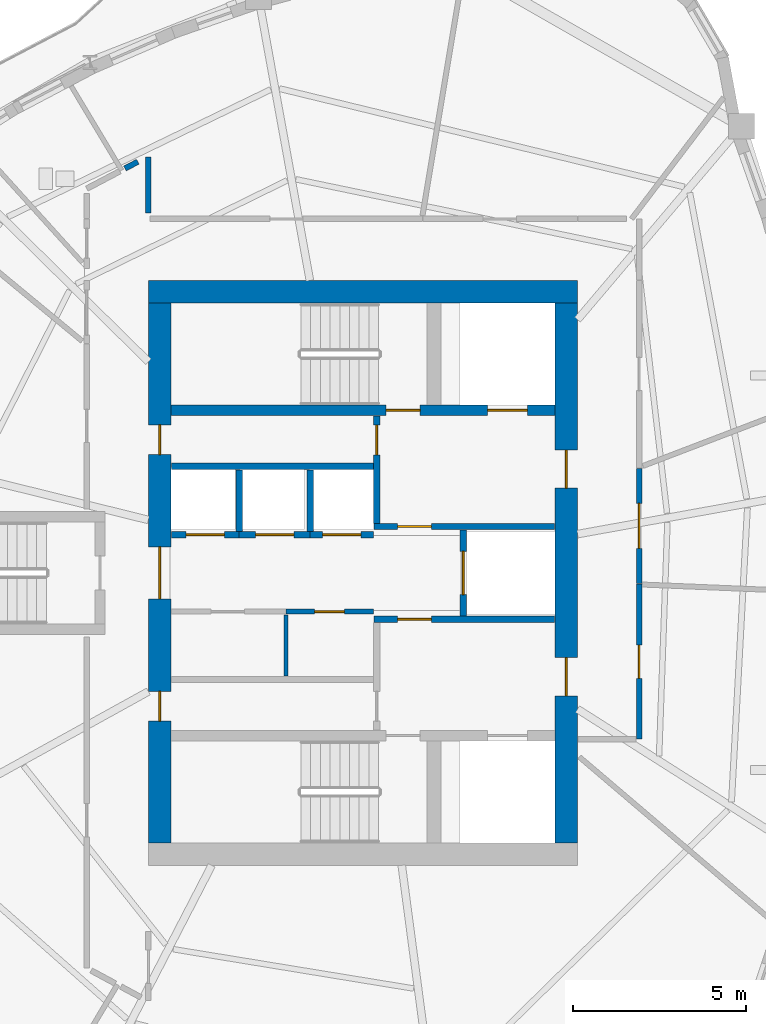
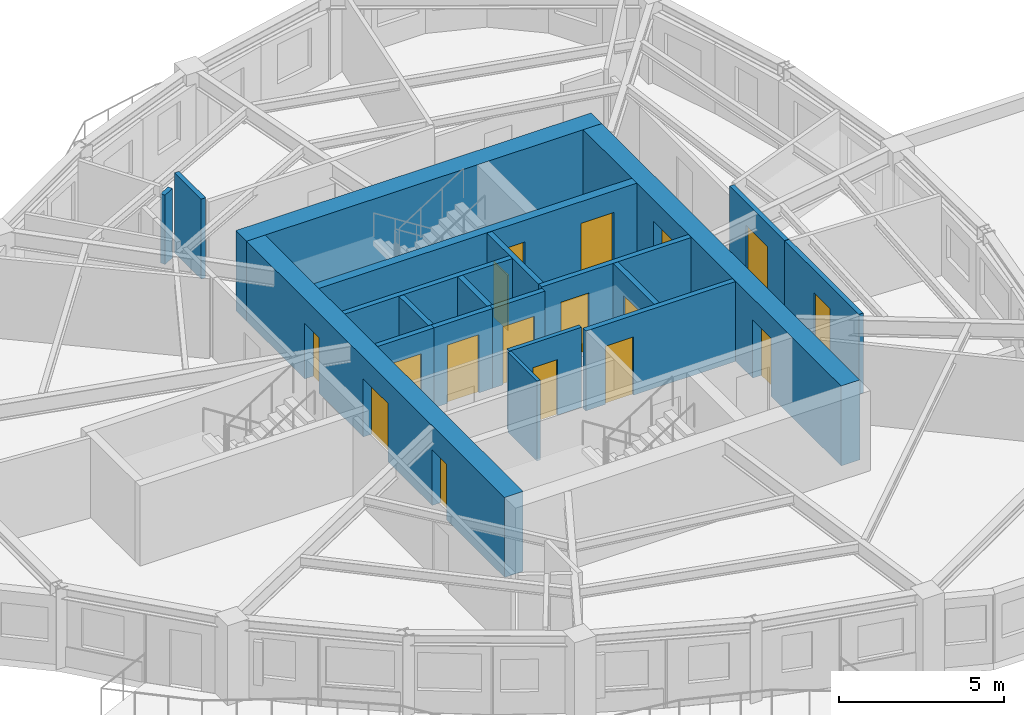
# One storey, part 5 of 11: 20 walls, 17 doors, 17 openings.
"""IFC4 building model written with IfcOpenShell, lengths in metres."""

from ifc_helpers import new_model, si_unit, direction, frame, frame_2d, origin, place, context, subcontext, project, spatial, rectangle, extrude, source, transform, mapped, material, layer, layer_set, type_object, element, fill, save


model = new_model("IFC4")

# Units and contexts
model_context = context("Model", 3, precision=1e-05, world=origin(), true_north=direction((0.0, 1.0)))
body_context = subcontext(model_context, "Body", "Model", "MODEL_VIEW")
ifc_project = project(units=[si_unit("LENGTHUNIT", "METRE"), si_unit("AREAUNIT", "SQUARE_METRE"), si_unit("VOLUMEUNIT", "CUBIC_METRE"), si_unit("PLANEANGLEUNIT", "RADIAN"), si_unit("MASSUNIT", "GRAM", prefix="KILO")], contexts=[model_context])

# Site, building, storey
site_placement = place(None, origin())
site = spatial("IfcSite", under=ifc_project, at=site_placement, CompositionType="ELEMENT")
building_placement = place(site_placement, origin())
building = spatial("IfcBuilding", under=site, at=building_placement, Name="Qafzar Sky-Pleat Residences", CompositionType="ELEMENT")
storey_placement = place(building_placement, frame((0.0, 0.0, 161.800048828125)))
storey = spatial("IfcBuildingStorey", under=building, at=storey_placement, Name="L48", CompositionType="ELEMENT", Elevation=161.800048828125)

# Wall, opening, door
ifc_material_1 = material(Name="Acoustic gypsum plasterboard partition", Category="gypsum")
ifc_layer_1 = layer(ifc_material_1, 0.159912109375)
ifc_layer_set_1 = layer_set([ifc_layer_1], Name="Acoustic gypsum plasterboard partition")
wall_type_1 = type_object("IfcWallType", Name="PART-COR-160", PredefinedType="PARTITIONING", material=ifc_layer_set_1)
wall_1_placement = place(storey_placement, frame((38.330078125, 25.68310546875, 0.0), z_axis=(0.0, 0.0, 1.0), x_axis=(0.0, -1.0, 0.0)))
wall_1 = element("IfcWall", 1, at=wall_1_placement, inside=storey, type_object=wall_type_1, Name="L48 Partition Wall PART-L48-PW-005", PredefinedType="PARTITIONING", context=body_context, shape_type="SweptSolid", body=[
    extrude(rectangle(XDim=4.483154296875, YDim=0.159912109375, at=frame_2d((2.24169921875, 0.0))), origin(), (0.0, 0.0, 1.0), 2.949951171875),
])
opening_1_placement = place(wall_1_placement, frame((1.76904296875, 0.0, 0.0)))
opening_1 = element("IfcOpeningElement", 2, at=opening_1_placement, cuts=wall_1, Name="Opening ID-06", PredefinedType="OPENING", context=body_context, shape_type="SweptSolid", body=[
    extrude(rectangle(XDim=0.9599609375, YDim=2.10009765625, at=frame_2d((0.47998046875, 1.050048828125))), frame((0.0, 0.08984375, 0.0), z_axis=(0.0, -1.0, 0.0), x_axis=(1.0, 0.0, 0.0)), (0.0, 0.0, 1.0), 0.179931640625),
])
ifc_material_2 = material(Name="Timber-faced fire door", Category="wood")
door_type_1 = type_object("IfcDoorType", Name="DR-STD-960", OperationType="NOTDEFINED", PredefinedType="DOOR", material=ifc_material_2)
shared_shape_1 = source(origin(), body_context, "Body", "SweptSolid", [
    extrude(rectangle(XDim=0.9599609375, YDim=2.10009765625, at=frame_2d((0.47998046875, 1.050048828125))), frame((0.0, 0.02490234375, 0.0), z_axis=(0.0, -1.0, 0.0), x_axis=(1.0, 0.0, 0.0)), (0.0, 0.0, 1.0), 0.050048828125),
])
door_1_placement = place(opening_1_placement, origin())
door_1 = element("IfcDoor", 3, at=door_1_placement, inside=storey, type_object=door_type_1, Name="L48 Wellness Yoga Studio Door", OperationType="SINGLE_SWING_LEFT", OverallHeight=2.10009765625, OverallWidth=0.9599609375, PredefinedType="DOOR", context=body_context, shape_type="MappedRepresentation", body=[
    mapped(shared_shape_1, transform((0.0, 0.0, 0.0), x_axis=(1.0, 0.0, 0.0), y_axis=(0.0, 1.0, 0.0), z_axis=(0.0, 0.0, 1.0), scale=1.0)),
])
fill(opening_1, door_1)

wall_2_placement = place(storey_placement, frame((38.330078125, 29.01904296875, 0.0), z_axis=(0.0, 0.0, 1.0), x_axis=(0.0, -1.0, 0.0)))
wall_2 = element("IfcWall", 4, at=wall_2_placement, inside=storey, type_object=wall_type_1, Name="L48 Partition Wall PART-L48-PW-007", PredefinedType="PARTITIONING", context=body_context, shape_type="SweptSolid", body=[
    extrude(rectangle(XDim=3.321044921875, YDim=0.159912109375, at=frame_2d((1.66064453125, 0.0))), origin(), (0.0, 0.0, 1.0), 2.949951171875),
])
opening_2_placement = place(wall_2_placement, frame((1.010498046875, 0.0, 0.0)))
opening_2 = element("IfcOpeningElement", 5, at=opening_2_placement, cuts=wall_2, Name="Opening ID-05", PredefinedType="OPENING", context=body_context, shape_type="SweptSolid", body=[
    extrude(rectangle(XDim=1.300048828125, YDim=2.10009765625, at=frame_2d((0.64990234375, 1.050048828125))), frame((0.0, 0.08984375, 0.0), z_axis=(0.0, -1.0, 0.0), x_axis=(1.0, 0.0, 0.0)), (0.0, 0.0, 1.0), 0.179931640625),
])
door_type_2 = type_object("IfcDoorType", Name="DR-LNG-1300", OperationType="DOUBLE_DOOR_SINGLE_SWING", PredefinedType="DOOR", material=ifc_material_2)
shared_shape_2 = source(origin(), body_context, "Body", "SweptSolid", [
    extrude(rectangle(XDim=1.300048828125, YDim=2.10009765625, at=frame_2d((0.64990234375, 1.050048828125))), frame((0.0, 0.02490234375, 0.0), z_axis=(0.0, -1.0, 0.0), x_axis=(1.0, 0.0, 0.0)), (0.0, 0.0, 1.0), 0.050048828125),
])
door_2_placement = place(opening_2_placement, origin())
door_2 = element("IfcDoor", 6, at=door_2_placement, inside=storey, type_object=door_type_2, Name="L48 Co-Living Lounge Door", OperationType="DOUBLE_DOOR_SINGLE_SWING", OverallHeight=2.10009765625, OverallWidth=1.300048828125, PredefinedType="DOOR", context=body_context, shape_type="MappedRepresentation", body=[
    mapped(shared_shape_2, transform((0.0, 0.0, 0.0), x_axis=(1.0, 0.0, 0.0), y_axis=(0.0, 1.0, 0.0), z_axis=(0.0, 0.0, 1.0), scale=1.0)),
])
fill(opening_2, door_2)

# Walls
wall_3_placement = place(storey_placement, frame((24.14990234375, 36.404052734375, 0.0), z_axis=(0.0, 0.0, 1.0), x_axis=(0.0, 1.0, 0.0)))
element("IfcWall", 7, at=wall_3_placement, inside=storey, type_object=wall_type_1, Name="L48 Partition Wall PART-L48-PW-023", PredefinedType="PARTITIONING", context=body_context, shape_type="SweptSolid", body=[
    extrude(rectangle(XDim=1.61083984375, YDim=0.159912109375, at=frame_2d((0.805419921875, 0.0))), origin(), (0.0, 0.0, 1.0), 2.949951171875),
])
wall_4_placement = place(storey_placement, frame((23.4716796875, 37.686279296875, 0.0), z_axis=(0.0, 0.0, 1.0), x_axis=(0.884564737935, 0.466417435782, 0.0)))
element("IfcWall", 8, at=wall_4_placement, inside=storey, type_object=wall_type_1, Name="L48 Partition Wall PART-L48-PW-029", PredefinedType="PARTITIONING", context=body_context, shape_type="SweptSolid", body=[
    extrude(rectangle(XDim=0.419677734375, YDim=0.159912109375, at=frame_2d((0.2099609375, 0.0))), origin(), (0.0, 0.0, 1.0), 2.557861328125),
])

# Wall, opening, door
ifc_material_3 = material(Name="Concrete blockwork partition", Category="masonry")
ifc_layer_2 = layer(ifc_material_3, 0.179931640625)
ifc_layer_set_2 = layer_set([ifc_layer_2], Name="Concrete blockwork partition")
wall_type_2 = type_object("IfcWallType", Name="PART-SHAFT-180", PredefinedType="PARTITIONING", material=ifc_layer_set_2)
wall_5_placement = place(storey_placement, frame((30.669921875, 24.659912109375, 0.0), z_axis=(0.0, 0.0, 1.0), x_axis=(1.0, 0.0, 0.0)))
wall_5 = element("IfcWall", 9, at=wall_5_placement, inside=storey, type_object=wall_type_2, Name="L48 Partition Wall PART-L48-FFL1-N", PredefinedType="PARTITIONING", context=body_context, shape_type="SweptSolid", body=[
    extrude(rectangle(XDim=5.219970703125, YDim=0.179931640625, at=frame_2d((2.60986328125, 0.0))), origin(), (0.0, 0.0, 1.0), 2.949951171875),
])
opening_3_placement = place(wall_5_placement, frame((0.679931640625, 0.0, 0.0)))
opening_3 = element("IfcOpeningElement", 10, at=opening_3_placement, cuts=wall_5, Name="Opening ID-01", PredefinedType="OPENING", context=body_context, shape_type="SweptSolid", body=[
    extrude(rectangle(XDim=0.97998046875, YDim=2.14990234375, at=frame_2d((0.489990234375, 1.074951171875))), frame((0.0, 0.10009765625, 0.0), z_axis=(0.0, -1.0, 0.0), x_axis=(1.0, 0.0, 0.0)), (0.0, 0.0, 1.0), 0.199951171875),
])
door_type_3 = type_object("IfcDoorType", Name="DR-STAIR-980", OperationType="NOTDEFINED", PredefinedType="DOOR", material=ifc_material_2)
shared_shape_3 = source(origin(), body_context, "Body", "SweptSolid", [
    extrude(rectangle(XDim=0.97998046875, YDim=2.14990234375, at=frame_2d((0.489990234375, 1.074951171875))), frame((0.0, 0.02490234375, 0.0), z_axis=(0.0, -1.0, 0.0), x_axis=(1.0, 0.0, 0.0)), (0.0, 0.0, 1.0), 0.050048828125),
])
door_3_placement = place(opening_3_placement, origin())
door_3 = element("IfcDoor", 11, at=door_3_placement, inside=storey, type_object=door_type_3, Name="L48 Lift Lobby to South Firefighting Lobby Door", OperationType="SINGLE_SWING_RIGHT", OverallHeight=2.14990234375, OverallWidth=0.97998046875, PredefinedType="DOOR", context=body_context, shape_type="MappedRepresentation", body=[
    mapped(shared_shape_3, transform((0.0, 0.0, 0.0), x_axis=(1.0, 0.0, 0.0), y_axis=(0.0, 1.0, 0.0), z_axis=(0.0, 0.0, 1.0), scale=1.0)),
])
fill(opening_3, door_3)

wall_6_placement = place(storey_placement, frame((30.75, 27.429931640625, 0.0), z_axis=(0.0, 0.0, 1.0), x_axis=(0.0, 1.0, 0.0)))
wall_6 = element("IfcWall", 12, at=wall_6_placement, inside=storey, type_object=wall_type_2, Name="L48 Partition Wall PART-L48-FFL2-W", PredefinedType="PARTITIONING", context=body_context, shape_type="SweptSolid", body=[
    extrude(rectangle(XDim=3.110107421875, YDim=0.179931640625, at=frame_2d((1.55517578125, 0.0))), origin(), (0.0, 0.0, 1.0), 2.949951171875),
])
opening_4_placement = place(wall_6_placement, frame((1.97998046875, 0.0, 0.0)))
opening_4 = element("IfcOpeningElement", 13, at=opening_4_placement, cuts=wall_6, Name="Opening ID-09", PredefinedType="OPENING", context=body_context, shape_type="SweptSolid", body=[
    extrude(rectangle(XDim=0.860107421875, YDim=2.050048828125, at=frame_2d((0.43017578125, 1.02490234375))), frame((0.0, 0.10009765625, 0.0), z_axis=(0.0, -1.0, 0.0), x_axis=(1.0, 0.0, 0.0)), (0.0, 0.0, 1.0), 0.199951171875),
])
door_type_4 = type_object("IfcDoorType", Name="DR-SVC-860", OperationType="NOTDEFINED", PredefinedType="DOOR", material=ifc_material_2)
shared_shape_4 = source(origin(), body_context, "Body", "SweptSolid", [
    extrude(rectangle(XDim=0.860107421875, YDim=2.050048828125, at=frame_2d((0.43017578125, 1.02490234375))), frame((0.0, 0.02490234375, 0.0), z_axis=(0.0, -1.0, 0.0), x_axis=(1.0, 0.0, 0.0)), (0.0, 0.0, 1.0), 0.050048828125),
])
door_4_placement = place(opening_4_placement, origin())
door_4 = element("IfcDoor", 14, at=door_4_placement, inside=storey, type_object=door_type_4, Name="L48 North Core Cupboard Door", OperationType="SINGLE_SWING_LEFT", OverallHeight=2.050048828125, OverallWidth=0.860107421875, PredefinedType="DOOR", context=body_context, shape_type="MappedRepresentation", body=[
    mapped(shared_shape_4, transform((0.0, 0.0, 0.0), x_axis=(1.0, 0.0, 0.0), y_axis=(0.0, 1.0, 0.0), z_axis=(0.0, 0.0, 1.0), scale=1.0)),
])
fill(opening_4, door_4)

wall_7_placement = place(storey_placement, frame((30.669921875, 27.340087890625, 0.0), z_axis=(0.0, 0.0, 1.0), x_axis=(1.0, 0.0, 0.0)))
wall_7 = element("IfcWall", 15, at=wall_7_placement, inside=storey, type_object=wall_type_2, Name="L48 Partition Wall PART-L48-FFL2-S", PredefinedType="PARTITIONING", context=body_context, shape_type="SweptSolid", body=[
    extrude(rectangle(XDim=5.219970703125, YDim=0.179931640625, at=frame_2d((2.60986328125, 0.0))), origin(), (0.0, 0.0, 1.0), 2.949951171875),
])
opening_5_placement = place(wall_7_placement, frame((0.679931640625, 0.0, 0.0)))
opening_5 = element("IfcOpeningElement", 16, at=opening_5_placement, cuts=wall_7, Name="Opening ID-01", PredefinedType="OPENING", context=body_context, shape_type="SweptSolid", body=[
    extrude(rectangle(XDim=0.97998046875, YDim=2.14990234375, at=frame_2d((0.489990234375, 1.074951171875))), frame((0.0, 0.10009765625, 0.0), z_axis=(0.0, -1.0, 0.0), x_axis=(1.0, 0.0, 0.0)), (0.0, 0.0, 1.0), 0.199951171875),
])
door_5_placement = place(opening_5_placement, origin())
door_5 = element("IfcDoor", 17, at=door_5_placement, inside=storey, type_object=door_type_3, Name="L48 Lift Lobby to North Firefighting Lobby Door", OperationType="SINGLE_SWING_RIGHT", OverallHeight=2.14990234375, OverallWidth=0.97998046875, PredefinedType="DOOR", context=body_context, shape_type="MappedRepresentation", body=[
    mapped(shared_shape_3, transform((0.0, 0.0, 0.0), x_axis=(1.0, 0.0, 0.0), y_axis=(0.0, 1.0, 0.0), z_axis=(0.0, 0.0, 1.0), scale=1.0)),
])
fill(opening_5, door_5)

wall_8_placement = place(storey_placement, frame((33.25, 24.760009765625, 0.0), z_axis=(0.0, 0.0, 1.0), x_axis=(0.0, 1.0, 0.0)))
wall_8 = element("IfcWall", 18, at=wall_8_placement, inside=storey, type_object=wall_type_2, Name="L48 Partition Wall PART-L48-SV1-W", PredefinedType="PARTITIONING", context=body_context, shape_type="SweptSolid", body=[
    extrude(rectangle(XDim=2.47998046875, YDim=0.179931640625, at=frame_2d((1.239990234375, 0.0))), origin(), (0.0, 0.0, 1.0), 2.949951171875),
])
opening_6_placement = place(wall_8_placement, frame((0.614990234375, 0.0, 0.0)))
opening_6 = element("IfcOpeningElement", 19, at=opening_6_placement, cuts=wall_8, Name="Opening LD-03", PredefinedType="OPENING", context=body_context, shape_type="SweptSolid", body=[
    extrude(rectangle(XDim=1.25, YDim=2.14990234375, at=frame_2d((0.625, 1.074951171875))), frame((0.0, 0.10009765625, 0.0), z_axis=(0.0, -1.0, 0.0), x_axis=(1.0, 0.0, 0.0)), (0.0, 0.0, 1.0), 0.199951171875),
])
ifc_material_4 = material(Name="Stainless steel sliding landing door", Category="steel")
door_type_5 = type_object("IfcDoorType", Name="DR-LIFT-SV", OperationType="DOUBLE_DOOR_SLIDING", PredefinedType="DOOR", material=ifc_material_4)
shared_shape_5 = source(origin(), body_context, "Body", "SweptSolid", [
    extrude(rectangle(XDim=1.25, YDim=2.14990234375, at=frame_2d((0.625, 1.074951171875))), frame((0.0, 0.02490234375, 0.0), z_axis=(0.0, -1.0, 0.0), x_axis=(1.0, 0.0, 0.0)), (0.0, 0.0, 1.0), 0.050048828125),
])
door_6_placement = place(opening_6_placement, origin())
door_6 = element("IfcDoor", 20, at=door_6_placement, inside=storey, type_object=door_type_5, Name="L48 Service Lift SV1 Landing Door", OperationType="DOUBLE_DOOR_SLIDING", OverallHeight=2.14990234375, OverallWidth=1.25, PredefinedType="DOOR", context=body_context, shape_type="MappedRepresentation", body=[
    mapped(shared_shape_5, transform((0.0, 0.0, 0.0), x_axis=(1.0, 0.0, 0.0), y_axis=(0.0, 1.0, 0.0), z_axis=(0.0, 0.0, 1.0), scale=1.0)),
])
fill(opening_6, door_6)

# Wall
wall_9_placement = place(storey_placement, frame((24.81005859375, 29.080078125, 0.0), z_axis=(0.0, 0.0, 1.0), x_axis=(1.0, 0.0, 0.0)))
element("IfcWall", 21, at=wall_9_placement, inside=storey, type_object=wall_type_2, Name="L48 Partition Wall PART-L48-P46-N", PredefinedType="PARTITIONING", context=body_context, shape_type="SweptSolid", body=[
    extrude(rectangle(XDim=5.83984375, YDim=0.179931640625, at=frame_2d((2.919921875, 0.0))), origin(), (0.0, 0.0, 1.0), 2.949951171875),
])

# Wall, opening, door
wall_10_placement = place(storey_placement, frame((24.81005859375, 27.10009765625, 0.0), z_axis=(0.0, 0.0, 1.0), x_axis=(1.0, 0.0, 0.0)))
wall_10 = element("IfcWall", 22, at=wall_10_placement, inside=storey, type_object=wall_type_2, Name="L48 Partition Wall PART-L48-P4-S", PredefinedType="PARTITIONING", context=body_context, shape_type="SweptSolid", body=[
    extrude(rectangle(XDim=1.96484375, YDim=0.179931640625, at=frame_2d((0.982421875, 0.0))), origin(), (0.0, 0.0, 1.0), 2.949951171875),
])
opening_7_placement = place(wall_10_placement, frame((0.4326171875, 0.0, 0.0)))
opening_7 = element("IfcOpeningElement", 23, at=opening_7_placement, cuts=wall_10, Name="Opening LD-01", PredefinedType="OPENING", context=body_context, shape_type="SweptSolid", body=[
    extrude(rectangle(XDim=1.10009765625, YDim=2.14990234375, at=frame_2d((0.550048828125, 1.074951171875))), frame((0.0, 0.10009765625, 0.0), z_axis=(0.0, -1.0, 0.0), x_axis=(1.0, 0.0, 0.0)), (0.0, 0.0, 1.0), 0.199951171875),
])
door_type_6 = type_object("IfcDoorType", Name="DR-LIFT-P", OperationType="DOUBLE_DOOR_SLIDING", PredefinedType="DOOR", material=ifc_material_4)
shared_shape_6 = source(origin(), body_context, "Body", "SweptSolid", [
    extrude(rectangle(XDim=1.10009765625, YDim=2.14990234375, at=frame_2d((0.550048828125, 1.074951171875))), frame((0.0, 0.02490234375, 0.0), z_axis=(0.0, -1.0, 0.0), x_axis=(1.0, 0.0, 0.0)), (0.0, 0.0, 1.0), 0.050048828125),
])
door_7_placement = place(opening_7_placement, origin())
door_7 = element("IfcDoor", 24, at=door_7_placement, inside=storey, type_object=door_type_6, Name="L48 Passenger Lift P4 Landing Door", OperationType="DOUBLE_DOOR_SLIDING", OverallHeight=2.14990234375, OverallWidth=1.10009765625, PredefinedType="DOOR", context=body_context, shape_type="MappedRepresentation", body=[
    mapped(shared_shape_6, transform((0.0, 0.0, 0.0), x_axis=(1.0, 0.0, 0.0), y_axis=(0.0, 1.0, 0.0), z_axis=(0.0, 0.0, 1.0), scale=1.0)),
])
fill(opening_7, door_7)

wall_11_placement = place(storey_placement, frame((26.77490234375, 27.10009765625, 0.0), z_axis=(0.0, 0.0, 1.0), x_axis=(1.0, 0.0, 0.0)))
wall_11 = element("IfcWall", 25, at=wall_11_placement, inside=storey, type_object=wall_type_2, Name="L48 Partition Wall PART-L48-P5-S", PredefinedType="PARTITIONING", context=body_context, shape_type="SweptSolid", body=[
    extrude(rectangle(XDim=2.050048828125, YDim=0.179931640625, at=frame_2d((1.02490234375, 0.0))), origin(), (0.0, 0.0, 1.0), 2.949951171875),
])
opening_8_placement = place(wall_11_placement, frame((0.47509765625, 0.0, 0.0)))
opening_8 = element("IfcOpeningElement", 26, at=opening_8_placement, cuts=wall_11, Name="Opening LD-01", PredefinedType="OPENING", context=body_context, shape_type="SweptSolid", body=[
    extrude(rectangle(XDim=1.10009765625, YDim=2.14990234375, at=frame_2d((0.550048828125, 1.074951171875))), frame((0.0, 0.10009765625, 0.0), z_axis=(0.0, -1.0, 0.0), x_axis=(1.0, 0.0, 0.0)), (0.0, 0.0, 1.0), 0.199951171875),
])
door_8_placement = place(opening_8_placement, origin())
door_8 = element("IfcDoor", 27, at=door_8_placement, inside=storey, type_object=door_type_6, Name="L48 Passenger Lift P5 Landing Door", OperationType="DOUBLE_DOOR_SLIDING", OverallHeight=2.14990234375, OverallWidth=1.10009765625, PredefinedType="DOOR", context=body_context, shape_type="MappedRepresentation", body=[
    mapped(shared_shape_6, transform((0.0, 0.0, 0.0), x_axis=(1.0, 0.0, 0.0), y_axis=(0.0, 1.0, 0.0), z_axis=(0.0, 0.0, 1.0), scale=1.0)),
])
fill(opening_8, door_8)

# Wall
wall_12_placement = place(storey_placement, frame((26.77490234375, 27.199951171875, 0.0), z_axis=(0.0, 0.0, 1.0), x_axis=(0.0, 1.0, 0.0)))
element("IfcWall", 28, at=wall_12_placement, inside=storey, type_object=wall_type_2, Name="L48 Partition Wall PART-L48-P46-DIV-1", PredefinedType="PARTITIONING", context=body_context, shape_type="SweptSolid", body=[
    extrude(rectangle(XDim=1.780029296875, YDim=0.179931640625, at=frame_2d((0.89013671875, 0.0))), origin(), (0.0, 0.0, 1.0), 2.949951171875),
])

# Wall, opening, door
wall_13_placement = place(storey_placement, frame((28.824951171875, 27.10009765625, 0.0), z_axis=(0.0, 0.0, 1.0), x_axis=(1.0, 0.0, 0.0)))
wall_13 = element("IfcWall", 29, at=wall_13_placement, inside=storey, type_object=wall_type_2, Name="L48 Partition Wall PART-L48-P6-S", PredefinedType="PARTITIONING", context=body_context, shape_type="SweptSolid", body=[
    extrude(rectangle(XDim=1.824951171875, YDim=0.179931640625, at=frame_2d((0.91259765625, 0.0))), origin(), (0.0, 0.0, 1.0), 2.949951171875),
])
opening_9_placement = place(wall_13_placement, frame((0.362548828125, 0.0, 0.0)))
opening_9 = element("IfcOpeningElement", 30, at=opening_9_placement, cuts=wall_13, Name="Opening LD-01", PredefinedType="OPENING", context=body_context, shape_type="SweptSolid", body=[
    extrude(rectangle(XDim=1.10009765625, YDim=2.14990234375, at=frame_2d((0.550048828125, 1.074951171875))), frame((0.0, 0.10009765625, 0.0), z_axis=(0.0, -1.0, 0.0), x_axis=(1.0, 0.0, 0.0)), (0.0, 0.0, 1.0), 0.199951171875),
])
door_9_placement = place(opening_9_placement, origin())
door_9 = element("IfcDoor", 31, at=door_9_placement, inside=storey, type_object=door_type_6, Name="L48 Passenger Lift P6 Landing Door", OperationType="DOUBLE_DOOR_SLIDING", OverallHeight=2.14990234375, OverallWidth=1.10009765625, PredefinedType="DOOR", context=body_context, shape_type="MappedRepresentation", body=[
    mapped(shared_shape_6, transform((0.0, 0.0, 0.0), x_axis=(1.0, 0.0, 0.0), y_axis=(0.0, 1.0, 0.0), z_axis=(0.0, 0.0, 1.0), scale=1.0)),
])
fill(opening_9, door_9)

# Walls
wall_14_placement = place(storey_placement, frame((28.824951171875, 27.199951171875, 0.0), z_axis=(0.0, 0.0, 1.0), x_axis=(0.0, 1.0, 0.0)))
element("IfcWall", 32, at=wall_14_placement, inside=storey, type_object=wall_type_2, Name="L48 Partition Wall PART-L48-P46-DIV-2", PredefinedType="PARTITIONING", context=body_context, shape_type="SweptSolid", body=[
    extrude(rectangle(XDim=1.780029296875, YDim=0.179931640625, at=frame_2d((0.89013671875, 0.0))), origin(), (0.0, 0.0, 1.0), 2.949951171875),
])
ifc_material_5 = material(Name="Gypsum plasterboard partition", Category="gypsum")
ifc_layer_3 = layer(ifc_material_5, 0.114990234375)
ifc_layer_set_3 = layer_set([ifc_layer_3], Name="Gypsum plasterboard partition")
wall_type_3 = type_object("IfcWallType", Name="PART-SVC-115", PredefinedType="PARTITIONING", material=ifc_layer_set_3)
wall_15_placement = place(storey_placement, frame((28.125, 23.02001953125, 0.0), z_axis=(0.0, 0.0, 1.0), x_axis=(0.0, 1.0, 0.0)))
element("IfcWall", 33, at=wall_15_placement, inside=storey, type_object=wall_type_3, Name="L48 Partition Wall PART-L48-RECLAIM-DIV", PredefinedType="PARTITIONING", context=body_context, shape_type="SweptSolid", body=[
    extrude(rectangle(XDim=1.77001953125, YDim=0.114990234375, at=frame_2d((0.885009765625, 0.0))), origin(), (0.0, 0.0, 1.0), 2.949951171875),
])

# Wall, opening, door
ifc_layer_4 = layer(ifc_material_1, 0.14501953125)
ifc_layer_set_4 = layer_set([ifc_layer_4], Name="Acoustic gypsum plasterboard partition")
wall_type_4 = type_object("IfcWallType", Name="PART-UNIT-145", PredefinedType="PARTITIONING", material=ifc_layer_set_4)
wall_16_placement = place(storey_placement, frame((28.1298828125, 24.8798828125, 0.0), z_axis=(0.0, 0.0, 1.0), x_axis=(1.0, 0.0, 0.0)))
wall_16 = element("IfcWall", 34, at=wall_16_placement, inside=storey, type_object=wall_type_4, Name="L48 Partition Wall PART-L48-RECLAIM-N2", PredefinedType="PARTITIONING", context=body_context, shape_type="SweptSolid", body=[
    extrude(rectangle(XDim=2.52001953125, YDim=0.14501953125, at=frame_2d((1.260009765625, 0.0))), origin(), (0.0, 0.0, 1.0), 2.949951171875),
])
opening_10_placement = place(wall_16_placement, frame((0.820068359375, 0.0, 0.0)))
opening_10 = element("IfcOpeningElement", 35, at=opening_10_placement, cuts=wall_16, Name="Opening ID-09", PredefinedType="OPENING", context=body_context, shape_type="SweptSolid", body=[
    extrude(rectangle(XDim=0.860107421875, YDim=2.050048828125, at=frame_2d((0.43017578125, 1.02490234375))), frame((0.0, 0.08251953125, 0.0), z_axis=(0.0, -1.0, 0.0), x_axis=(1.0, 0.0, 0.0)), (0.0, 0.0, 1.0), 0.1650390625),
])
door_10_placement = place(opening_10_placement, origin())
door_10 = element("IfcDoor", 36, at=door_10_placement, inside=storey, type_object=door_type_4, Name="L48 Reclaimed Linen Cupboard Door", OperationType="SINGLE_SWING_RIGHT", OverallHeight=2.050048828125, OverallWidth=0.860107421875, PredefinedType="DOOR", context=body_context, shape_type="MappedRepresentation", body=[
    mapped(shared_shape_4, transform((0.0, 0.0, 0.0), x_axis=(1.0, 0.0, 0.0), y_axis=(0.0, 1.0, 0.0), z_axis=(0.0, 0.0, 1.0), scale=1.0)),
])
fill(opening_10, door_10)

# Wall, openings, doors
ifc_material_6 = material(Name="Concrete C60/75", Category="concrete")
ifc_layer_5 = layer(ifc_material_6, 0.300048828125)
ifc_layer_set_5 = layer_set([ifc_layer_5], Name="Concrete C60/75")
wall_type_5 = type_object("IfcWallType", Name="WALL-SHEAR-300", PredefinedType="SHEAR", material=ifc_layer_set_5)
wall_17_placement = place(storey_placement, frame((24.800048828125, 30.699951171875, 0.0), z_axis=(0.0, 0.0, 1.0), x_axis=(1.0, 0.0, 0.0)))
wall_17 = element("IfcWall", 37, at=wall_17_placement, inside=storey, type_object=wall_type_5, Name="L48 Stair ST2 and FF2 Shaft South Wall", PredefinedType="SHEAR", context=body_context, shape_type="SweptSolid", body=[
    extrude(rectangle(XDim=11.099853515625, YDim=0.300048828125, at=frame_2d((5.5498046875, 0.0))), origin(), (0.0, 0.0, 1.0), 2.949951171875),
])
opening_11_placement = place(wall_17_placement, frame((6.219970703125, 0.0, 0.0)))
opening_11 = element("IfcOpeningElement", 38, at=opening_11_placement, cuts=wall_17, Name="Opening ID-01", PredefinedType="OPENING", context=body_context, shape_type="SweptSolid", body=[
    extrude(rectangle(XDim=0.97998046875, YDim=2.14990234375, at=frame_2d((0.489990234375, 1.074951171875))), frame((0.0, 0.16015625, 0.0), z_axis=(0.0, -1.0, 0.0), x_axis=(1.0, 0.0, 0.0)), (0.0, 0.0, 1.0), 0.320068359375),
])
opening_12_placement = place(wall_17_placement, frame((9.14990234375, 0.0, 0.0)))
opening_12 = element("IfcOpeningElement", 39, at=opening_12_placement, cuts=wall_17, Name="Opening LD-02", PredefinedType="OPENING", context=body_context, shape_type="SweptSolid", body=[
    extrude(rectangle(XDim=1.14990234375, YDim=2.14990234375, at=frame_2d((0.574951171875, 1.074951171875))), frame((0.0, 0.16015625, 0.0), z_axis=(0.0, -1.0, 0.0), x_axis=(1.0, 0.0, 0.0)), (0.0, 0.0, 1.0), 0.320068359375),
])
door_11_placement = place(opening_11_placement, origin())
door_11 = element("IfcDoor", 40, at=door_11_placement, inside=storey, type_object=door_type_3, Name="L48 Stair ST2 Fire Door", OperationType="SINGLE_SWING_LEFT", OverallHeight=2.14990234375, OverallWidth=0.97998046875, PredefinedType="DOOR", context=body_context, shape_type="MappedRepresentation", body=[
    mapped(shared_shape_3, transform((0.0, 0.0, 0.0), x_axis=(1.0, 0.0, 0.0), y_axis=(0.0, 1.0, 0.0), z_axis=(0.0, 0.0, 1.0), scale=1.0)),
])
fill(opening_11, door_11)
door_type_7 = type_object("IfcDoorType", Name="DR-LIFT-FF", OperationType="DOUBLE_DOOR_SLIDING", PredefinedType="DOOR", material=ifc_material_4)
shared_shape_7 = source(origin(), body_context, "Body", "SweptSolid", [
    extrude(rectangle(XDim=1.14990234375, YDim=2.14990234375, at=frame_2d((0.574951171875, 1.074951171875))), frame((0.0, 0.02490234375, 0.0), z_axis=(0.0, -1.0, 0.0), x_axis=(1.0, 0.0, 0.0)), (0.0, 0.0, 1.0), 0.050048828125),
])
door_12_placement = place(opening_12_placement, origin())
door_12 = element("IfcDoor", 41, at=door_12_placement, inside=storey, type_object=door_type_7, Name="L48 Firefighting Lift FF2 Landing Door", OperationType="DOUBLE_DOOR_SLIDING", OverallHeight=2.14990234375, OverallWidth=1.14990234375, PredefinedType="DOOR", context=body_context, shape_type="MappedRepresentation", body=[
    mapped(shared_shape_7, transform((0.0, 0.0, 0.0), x_axis=(1.0, 0.0, 0.0), y_axis=(0.0, 1.0, 0.0), z_axis=(0.0, 0.0, 1.0), scale=1.0)),
])
fill(opening_12, door_12)

# Wall
ifc_layer_6 = layer(ifc_material_6, 0.64990234375)
ifc_layer_set_6 = layer_set([ifc_layer_6], Name="Concrete C60/75")
wall_type_6 = type_object("IfcWallType", Name="WALL-SHEAR-650", PredefinedType="SHEAR", material=ifc_layer_set_6)
wall_18_placement = place(storey_placement, frame((36.550048828125, 34.125, 0.0), z_axis=(0.0, 0.0, 1.0), x_axis=(-1.0, 0.0, 0.0)))
element("IfcWall", 42, at=wall_18_placement, inside=storey, type_object=wall_type_6, Name="L48 CORE wall N", PredefinedType="SHEAR", context=body_context, shape_type="SweptSolid", body=[
    extrude(rectangle(XDim=12.400146484375, YDim=0.64990234375, at=frame_2d((6.2001953125, 0.0))), origin(), (0.0, 0.0, 1.0), 2.949951171875),
])

# Wall, openings, doors
wall_19_placement = place(storey_placement, frame((24.47509765625, 33.800048828125, 0.0), z_axis=(0.0, 0.0, 1.0), x_axis=(0.0, -1.0, 0.0)))
wall_19 = element("IfcWall", 43, at=wall_19_placement, inside=storey, type_object=wall_type_6, Name="L48 CORE wall W", PredefinedType="SHEAR", context=body_context, shape_type="SweptSolid", body=[
    extrude(rectangle(XDim=15.60009765625, YDim=0.64990234375, at=frame_2d((7.800048828125, 0.0))), origin(), (0.0, 0.0, 1.0), 2.949951171875),
])
opening_13_placement = place(wall_19_placement, frame((7.050048828125, 0.0, 0.0)))
opening_13 = element("IfcOpeningElement", 44, at=opening_13_placement, cuts=wall_19, Name="Opening ID-03", PredefinedType="OPENING", context=body_context, shape_type="SweptSolid", body=[
    extrude(rectangle(XDim=1.5, YDim=2.14990234375, at=frame_2d((0.75, 1.074951171875))), frame((0.0, 0.3349609375, 0.0), z_axis=(0.0, -1.0, 0.0), x_axis=(1.0, 0.0, 0.0)), (0.0, 0.0, 1.0), 0.669921875),
])
opening_14_placement = place(wall_19_placement, frame((3.52001953125, 0.0, 0.0)))
opening_14 = element("IfcOpeningElement", 45, at=opening_14_placement, cuts=wall_19, Name="Opening ID-09", PredefinedType="OPENING", context=body_context, shape_type="SweptSolid", body=[
    extrude(rectangle(XDim=0.860107421875, YDim=2.050048828125, at=frame_2d((0.43017578125, 1.02490234375))), frame((0.0, 0.3349609375, 0.0), z_axis=(0.0, -1.0, 0.0), x_axis=(1.0, 0.0, 0.0)), (0.0, 0.0, 1.0), 0.669921875),
])
opening_15_placement = place(wall_19_placement, frame((11.219970703125, 0.0, 0.0)))
opening_15 = element("IfcOpeningElement", 46, at=opening_15_placement, cuts=wall_19, Name="Opening ID-09", PredefinedType="OPENING", context=body_context, shape_type="SweptSolid", body=[
    extrude(rectangle(XDim=0.860107421875, YDim=2.050048828125, at=frame_2d((0.43017578125, 1.02490234375))), frame((0.0, 0.3349609375, 0.0), z_axis=(0.0, -1.0, 0.0), x_axis=(1.0, 0.0, 0.0)), (0.0, 0.0, 1.0), 0.669921875),
])
door_type_8 = type_object("IfcDoorType", Name="DR-COR-1500", OperationType="DOUBLE_DOOR_SINGLE_SWING", PredefinedType="DOOR", material=ifc_material_2)
shared_shape_8 = source(origin(), body_context, "Body", "SweptSolid", [
    extrude(rectangle(XDim=1.5, YDim=2.14990234375, at=frame_2d((0.75, 1.074951171875))), frame((0.0, 0.02490234375, 0.0), z_axis=(0.0, -1.0, 0.0), x_axis=(1.0, 0.0, 0.0)), (0.0, 0.0, 1.0), 0.050048828125),
])
door_13_placement = place(opening_13_placement, origin())
door_13 = element("IfcDoor", 47, at=door_13_placement, inside=storey, type_object=door_type_8, Name="L48 Lift Lobby West Double Door", OperationType="DOUBLE_DOOR_SINGLE_SWING", OverallHeight=2.14990234375, OverallWidth=1.5, PredefinedType="DOOR", context=body_context, shape_type="MappedRepresentation", body=[
    mapped(shared_shape_8, transform((0.0, 0.0, 0.0), x_axis=(1.0, 0.0, 0.0), y_axis=(0.0, 1.0, 0.0), z_axis=(0.0, 0.0, 1.0), scale=1.0)),
])
fill(opening_13, door_13)
door_14_placement = place(opening_14_placement, origin())
door_14 = element("IfcDoor", 48, at=door_14_placement, inside=storey, type_object=door_type_4, Name="L48 Core North-West Service Door", OperationType="SINGLE_SWING_LEFT", OverallHeight=2.050048828125, OverallWidth=0.860107421875, PredefinedType="DOOR", context=body_context, shape_type="MappedRepresentation", body=[
    mapped(shared_shape_4, transform((0.0, 0.0, 0.0), x_axis=(1.0, 0.0, 0.0), y_axis=(0.0, 1.0, 0.0), z_axis=(0.0, 0.0, 1.0), scale=1.0)),
])
fill(opening_14, door_14)
door_15_placement = place(opening_15_placement, origin())
door_15 = element("IfcDoor", 49, at=door_15_placement, inside=storey, type_object=door_type_4, Name="L48 Core South-West Service Door", OperationType="SINGLE_SWING_RIGHT", OverallHeight=2.050048828125, OverallWidth=0.860107421875, PredefinedType="DOOR", context=body_context, shape_type="MappedRepresentation", body=[
    mapped(shared_shape_4, transform((0.0, 0.0, 0.0), x_axis=(1.0, 0.0, 0.0), y_axis=(0.0, 1.0, 0.0), z_axis=(0.0, 0.0, 1.0), scale=1.0)),
])
fill(opening_15, door_15)

wall_20_placement = place(storey_placement, frame((36.22509765625, 18.199951171875, 0.0), z_axis=(0.0, 0.0, 1.0), x_axis=(0.0, 1.0, 0.0)))
wall_20 = element("IfcWall", 50, at=wall_20_placement, inside=storey, type_object=wall_type_6, Name="L48 CORE wall E", PredefinedType="SHEAR", context=body_context, shape_type="SweptSolid", body=[
    extrude(rectangle(XDim=15.60009765625, YDim=0.64990234375, at=frame_2d((7.800048828125, 0.0))), origin(), (0.0, 0.0, 1.0), 2.949951171875),
])
opening_16_placement = place(wall_20_placement, frame((4.25, 0.0, 0.0)))
opening_16 = element("IfcOpeningElement", 51, at=opening_16_placement, cuts=wall_20, Name="Opening ID-02", PredefinedType="OPENING", context=body_context, shape_type="SweptSolid", body=[
    extrude(rectangle(XDim=1.10009765625, YDim=2.14990234375, at=frame_2d((0.550048828125, 1.074951171875))), frame((0.0, 0.3349609375, 0.0), z_axis=(0.0, -1.0, 0.0), x_axis=(1.0, 0.0, 0.0)), (0.0, 0.0, 1.0), 0.669921875),
])
opening_17_placement = place(wall_20_placement, frame((10.25, 0.0, 0.0)))
opening_17 = element("IfcOpeningElement", 52, at=opening_17_placement, cuts=wall_20, Name="Opening ID-02", PredefinedType="OPENING", context=body_context, shape_type="SweptSolid", body=[
    extrude(rectangle(XDim=1.10009765625, YDim=2.14990234375, at=frame_2d((0.550048828125, 1.074951171875))), frame((0.0, 0.3349609375, 0.0), z_axis=(0.0, -1.0, 0.0), x_axis=(1.0, 0.0, 0.0)), (0.0, 0.0, 1.0), 0.669921875),
])
door_type_9 = type_object("IfcDoorType", Name="DR-FFL-1100", OperationType="NOTDEFINED", PredefinedType="DOOR", material=ifc_material_2)
door_16_placement = place(opening_16_placement, origin())
door_16 = element("IfcDoor", 53, at=door_16_placement, inside=storey, type_object=door_type_9, Name="L48 Firefighting Lobby South Corridor Door", OperationType="SINGLE_SWING_LEFT", OverallHeight=2.14990234375, OverallWidth=1.10009765625, PredefinedType="DOOR", context=body_context, shape_type="MappedRepresentation", body=[
    mapped(shared_shape_6, transform((0.0, 0.0, 0.0), x_axis=(1.0, 0.0, 0.0), y_axis=(0.0, 1.0, 0.0), z_axis=(0.0, 0.0, 1.0), scale=1.0)),
])
fill(opening_16, door_16)
door_17_placement = place(opening_17_placement, origin())
door_17 = element("IfcDoor", 54, at=door_17_placement, inside=storey, type_object=door_type_9, Name="L48 Firefighting Lobby North Corridor Door", OperationType="SINGLE_SWING_RIGHT", OverallHeight=2.14990234375, OverallWidth=1.10009765625, PredefinedType="DOOR", context=body_context, shape_type="MappedRepresentation", body=[
    mapped(shared_shape_6, transform((0.0, 0.0, 0.0), x_axis=(1.0, 0.0, 0.0), y_axis=(0.0, 1.0, 0.0), z_axis=(0.0, 0.0, 1.0), scale=1.0)),
])
fill(opening_17, door_17)

save(model, "model.ifc")
